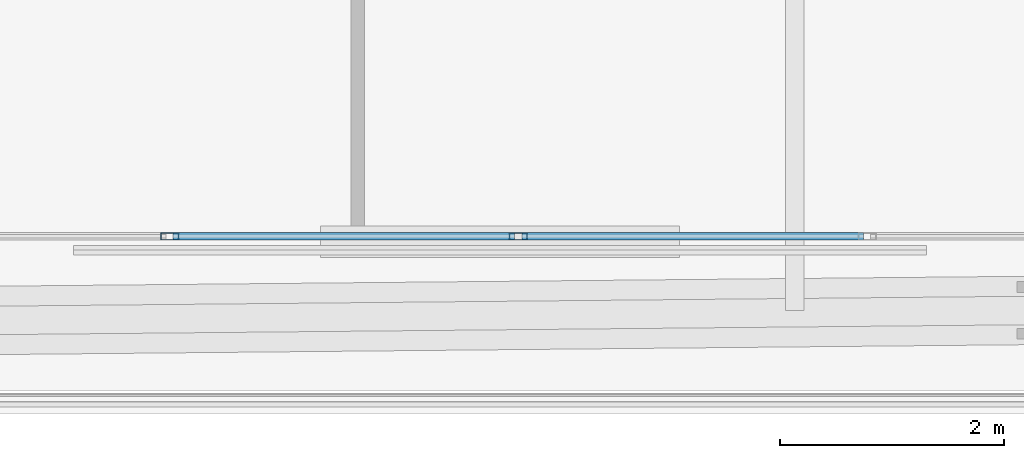
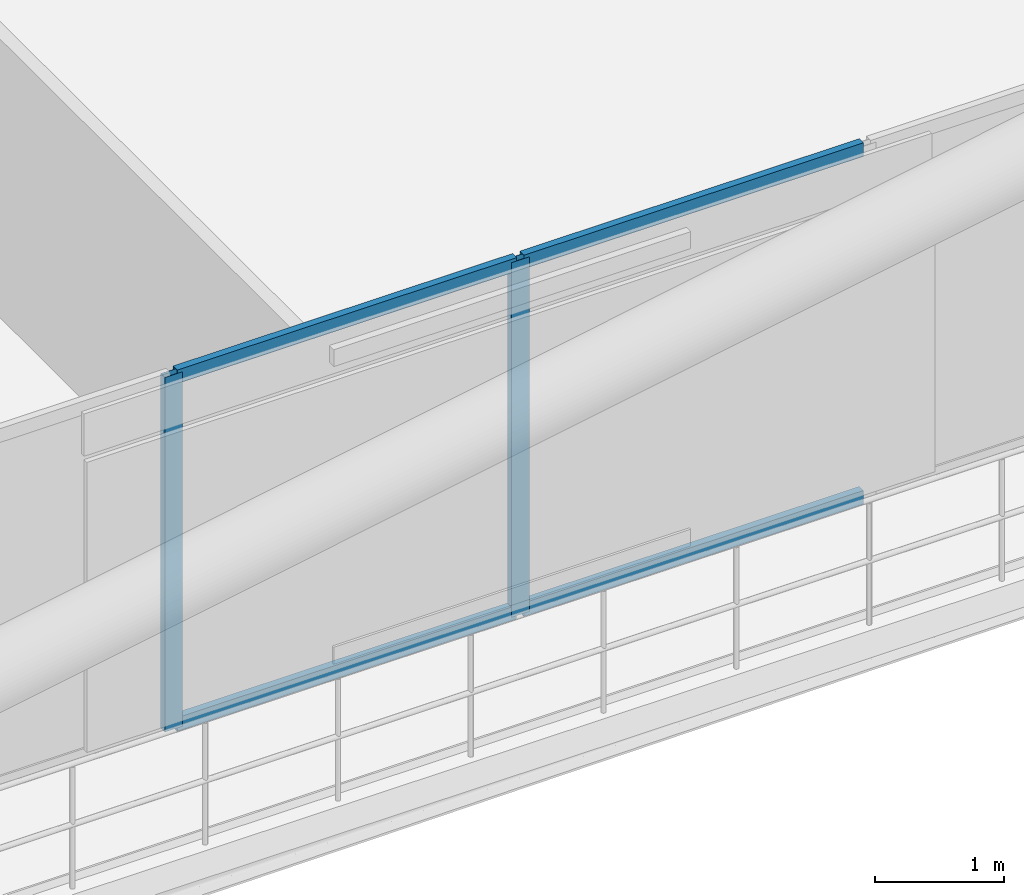
# One storey, part 5 of 34: 6 members, 1 element without a shape of its own.
"""IFC4 building model written with IfcOpenShell, lengths in metres."""

from ifc_helpers import new_model, si_unit, direction, frame, origin, origin_2d, place, context, subcontext, project, spatial, hollow_rectangle, extrude, material, layer, layer_set, material_profile, profile_set, type_object, element, aggregate, save


model = new_model("IFC4")

# Units and contexts
model_context = context("Model", 3, precision=1e-05, world=origin(), true_north=direction((0.0, 1.0)))
body_context = subcontext(model_context, "Body", "Model", "MODEL_VIEW")
ifc_project = project(units=[si_unit("LENGTHUNIT", "METRE"), si_unit("AREAUNIT", "SQUARE_METRE"), si_unit("VOLUMEUNIT", "CUBIC_METRE"), si_unit("PLANEANGLEUNIT", "RADIAN"), si_unit("MASSUNIT", "GRAM", prefix="KILO")], contexts=[model_context])

# Site, building, storey
site_placement = place(None, origin())
site = spatial("IfcSite", under=ifc_project, at=site_placement, CompositionType="ELEMENT")
building_placement = place(site_placement, origin())
building = spatial("IfcBuilding", under=site, at=building_placement, Name="Caelvoria Tower", CompositionType="ELEMENT")
storey_placement = place(building_placement, frame((0.0, 0.0, 28.0)))
storey = spatial("IfcBuildingStorey", under=building, at=storey_placement, Name="L06", CompositionType="ELEMENT", Elevation=28.0)

# Curtain wall, members
ifc_material_1 = material(Name="Anodised Bronze Aluminium and Low-E Glass", Category="aluminium")
ifc_layer = layer(ifc_material_1, 0.18505859375, Name="Anodised Bronze Aluminium and Low-E Glass")
ifc_layer_set = layer_set([ifc_layer], Name="CW System 2 Lower Tower Bronze Unitised Facade - Anodised Bronze Aluminium and Low-E Glass")
curtain_wall_type = type_object("IfcCurtainWallType", Name="CW System 2 Lower Tower Bronze Unitised Facade", PredefinedType="NOTDEFINED", material=ifc_layer_set)
curtain_wall_placement = place(storey_placement, origin())
curtain_wall = element("IfcCurtainWall", 1, at=curtain_wall_placement, inside=storey, type_object=curtain_wall_type, Name="CW-02 Curtain Wall L06-E0", PredefinedType="NOTDEFINED")
ifc_material_2 = material(Name="Anodised Bronze Architectural Aluminium", Category="aluminium")
ifc_material_profile_1 = material_profile(ifc_material_2, hollow_rectangle(XDim=0.06494140625, YDim=0.159912109375, WallThickness=0.00390625, at=origin_2d()), Name="Anodised Bronze Architectural Aluminium")
ifc_profile_set_1 = profile_set([ifc_material_profile_1], Name="CW_MULL_65X160 - Anodised Bronze Architectural Aluminium")
member_type_1 = type_object("IfcMemberType", Name="Curtain Wall Mullion 65x160 Bronze Aluminium", PredefinedType="MULLION", material=ifc_profile_set_1)
member_1_placement = place(storey_placement, frame((38.230712890625, 11.3798828125, 0.0), z_axis=(0.0, 0.0, 1.0), x_axis=(0.0, 1.0, 0.0)))
member_1 = element("IfcMember", 2, at=member_1_placement, type_object=member_type_1, Name="CW-02 mullion 5", PredefinedType="MULLION", context=body_context, shape_type="SweptSolid", body=[
    extrude(hollow_rectangle(XDim=0.06494140625, YDim=0.159912109375, WallThickness=0.00390625, at=origin_2d()), origin(), (0.0, 0.0, 1.0), 3.360107421875),
])
member_2_placement = place(storey_placement, frame((41.33837890625, 11.3798828125, 0.0), z_axis=(0.0, 0.0, 1.0), x_axis=(0.0, 1.0, 0.0)))
member_2 = element("IfcMember", 3, at=member_2_placement, type_object=member_type_1, Name="CW-02 mullion 6", PredefinedType="MULLION", context=body_context, shape_type="SweptSolid", body=[
    extrude(hollow_rectangle(XDim=0.06494140625, YDim=0.159912109375, WallThickness=0.00390625, at=origin_2d()), origin(), (0.0, 0.0, 1.0), 3.360107421875),
])
ifc_material_profile_2 = material_profile(ifc_material_2, hollow_rectangle(XDim=0.06494140625, YDim=0.1298828125, WallThickness=0.00341796875, at=origin_2d()), Name="Anodised Bronze Architectural Aluminium")
ifc_profile_set_2 = profile_set([ifc_material_profile_2], Name="CW_TRAN_65X130 - Anodised Bronze Architectural Aluminium")
member_type_2 = type_object("IfcMemberType", Name="Curtain Wall Transom 65x130 Bronze Aluminium", PredefinedType="USERDEFINED", material=ifc_profile_set_2)
member_3_placement = place(storey_placement, frame((38.26318359375, 11.3798828125, 0.032470703125), z_axis=(1.0, 0.0, 0.0), x_axis=(0.0, 1.0, 0.0)))
member_3 = element("IfcMember", 4, at=member_3_placement, type_object=member_type_2, Name="CW-02 transom 5.1", ObjectType="TRANSOM", PredefinedType="USERDEFINED", context=body_context, shape_type="SweptSolid", body=[
    extrude(hollow_rectangle(XDim=0.06494140625, YDim=0.1298828125, WallThickness=0.00341796875, at=origin_2d()), origin(), (0.0, 0.0, 1.0), 3.042724609375),
])
member_4_placement = place(storey_placement, frame((38.26318359375, 11.3798828125, 3.327392578125), z_axis=(1.0, 0.0, 0.0), x_axis=(0.0, 1.0, 0.0)))
member_4 = element("IfcMember", 5, at=member_4_placement, type_object=member_type_2, Name="CW-02 transom 5.2", ObjectType="TRANSOM", PredefinedType="USERDEFINED", context=body_context, shape_type="SweptSolid", body=[
    extrude(hollow_rectangle(XDim=0.06494140625, YDim=0.1298828125, WallThickness=0.00341796875, at=origin_2d()), origin(), (0.0, 0.0, 1.0), 3.042724609375),
])
member_5_placement = place(storey_placement, frame((41.370849609375, 11.3798828125, 0.032470703125), z_axis=(1.0, 0.0, 0.0), x_axis=(0.0, 1.0, 0.0)))
member_5 = element("IfcMember", 6, at=member_5_placement, type_object=member_type_2, Name="CW-02 transom 6.1", ObjectType="TRANSOM", PredefinedType="USERDEFINED", context=body_context, shape_type="SweptSolid", body=[
    extrude(hollow_rectangle(XDim=0.06494140625, YDim=0.1298828125, WallThickness=0.00341796875, at=origin_2d()), origin(), (0.0, 0.0, 1.0), 3.042724609375),
])
member_6_placement = place(storey_placement, frame((41.370849609375, 11.3798828125, 3.327392578125), z_axis=(1.0, 0.0, 0.0), x_axis=(0.0, 1.0, 0.0)))
member_6 = element("IfcMember", 7, at=member_6_placement, type_object=member_type_2, Name="CW-02 transom 6.2", ObjectType="TRANSOM", PredefinedType="USERDEFINED", context=body_context, shape_type="SweptSolid", body=[
    extrude(hollow_rectangle(XDim=0.06494140625, YDim=0.1298828125, WallThickness=0.00341796875, at=origin_2d()), origin(), (0.0, 0.0, 1.0), 3.042724609375),
])
aggregate(curtain_wall, [member_1, member_2, member_3, member_4, member_5, member_6])

save(model, "model.ifc")
